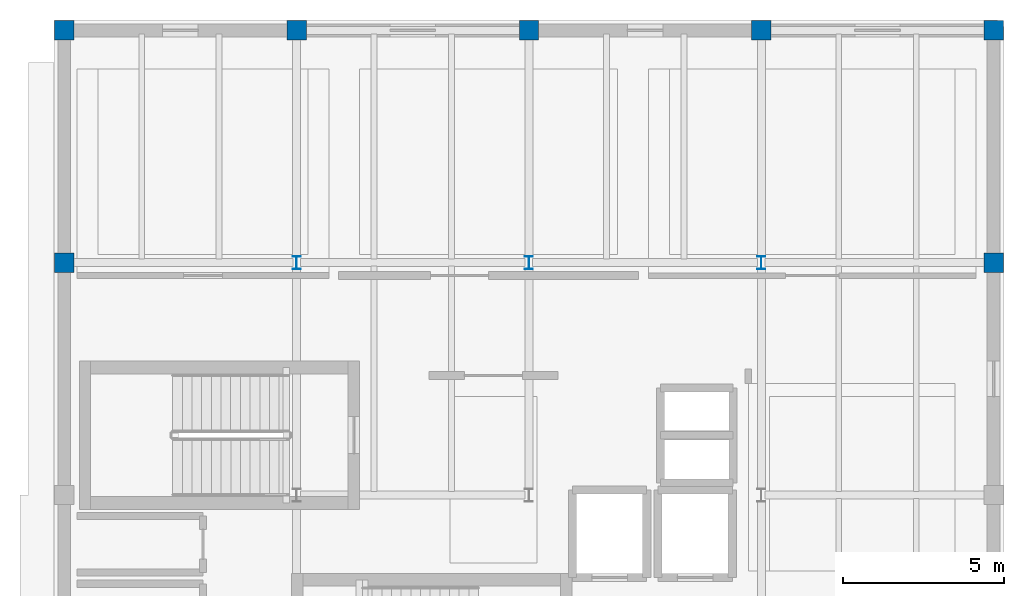
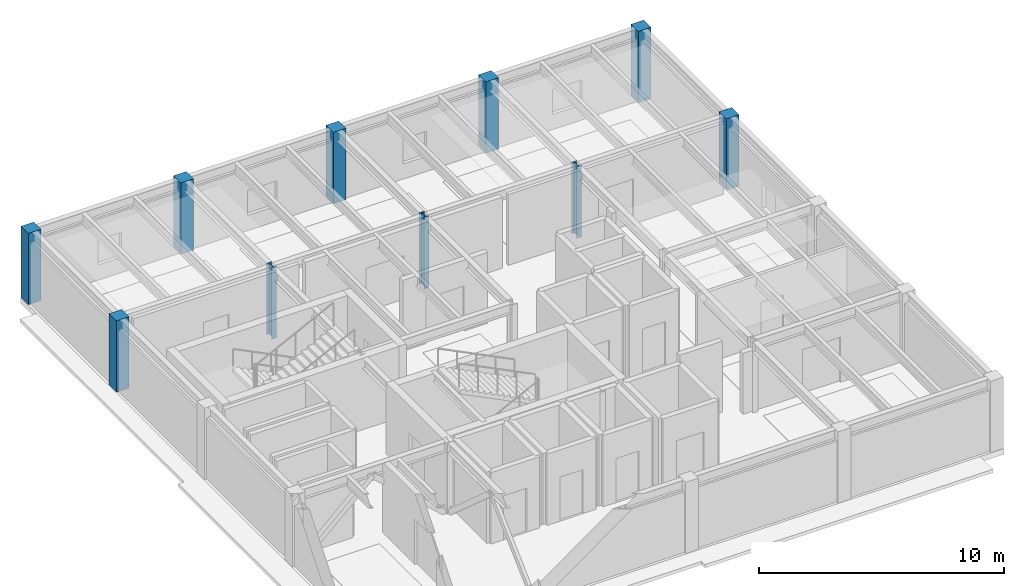
# One storey, part 2 of 8: 10 columns.
"""IFC4 building model written with IfcOpenShell, lengths in metres."""

from ifc_helpers import new_model, si_unit, direction, frame, origin, origin_2d, place, context, subcontext, project, spatial, rectangle, i_section, extrude, material, material_profile, profile_set, type_object, element, save


model = new_model("IFC4")

# Units and contexts
model_context = context("Model", 3, precision=1e-05, world=origin(), true_north=direction((0.0, 1.0)))
body_context = subcontext(model_context, "Body", "Model", "MODEL_VIEW")
ifc_project = project(units=[si_unit("LENGTHUNIT", "METRE"), si_unit("AREAUNIT", "SQUARE_METRE"), si_unit("VOLUMEUNIT", "CUBIC_METRE"), si_unit("PLANEANGLEUNIT", "RADIAN"), si_unit("MASSUNIT", "GRAM", prefix="KILO")], contexts=[model_context])

# Site, building, storey
site_placement = place(None, origin())
site = spatial("IfcSite", under=ifc_project, at=site_placement, CompositionType="ELEMENT")
building_placement = place(site_placement, origin())
building = spatial("IfcBuilding", under=site, at=building_placement, Name="Kandorven Conservatory and Botanical Research Centre", CompositionType="ELEMENT")
storey_placement = place(building_placement, frame((0.0, 0.0, 32.699951171875)))
storey = spatial("IfcBuildingStorey", under=building, at=storey_placement, Name="L08", CompositionType="ELEMENT", Elevation=32.699951171875)

# Columns
ifc_material_1 = material(Name="Steel S355 (IS 2062 E350)", Category="steel")
ifc_material_profile_1 = material_profile(ifc_material_1, i_section(OverallWidth=0.25, OverallDepth=0.39990234375, WebThickness=0.010498046875, FlangeThickness=0.0126953125, at=origin_2d()))
ifc_profile_set_1 = profile_set([ifc_material_profile_1], Name="Steel S355 (IS 2062 E350)")
column_type_1 = type_object("IfcColumnType", Name="Col_SC-02", PredefinedType="COLUMN", material=ifc_profile_set_1)
for number, where, z_axis, x_axis, name in (
    (1, (13.199951171875, 27.60009765625, 0.0), (0.0, 0.0, 1.0), (1.0, 0.0, 0.0), "Column SC-02 TWR L08 (2,4)"),
    (2, (20.39990234375, 27.60009765625, 0.0), (0.0, 0.0, 1.0), (1.0, 0.0, 0.0), "Column SC-02 TWR L08 (3,4)"),
    (3, (27.60009765625, 27.60009765625, 0.0), (0.0, 0.0, 1.0), (1.0, 0.0, 0.0), "Column SC-02 TWR L08 (4,4)"),
):
    element("IfcColumn", number, at=place(storey_placement, frame(where, z_axis=z_axis, x_axis=x_axis)), inside=storey, type_object=column_type_1, Name=name, PredefinedType="COLUMN", context=body_context, shape_type="SweptSolid", body=[
        extrude(i_section(OverallWidth=0.25, OverallDepth=0.39990234375, WebThickness=0.010498046875, FlangeThickness=0.0126953125, at=origin_2d()), origin(), (0.0, 0.0, 1.0), 3.56005859375),
    ])
ifc_material_2 = material(Name="Concrete C40/50 (M50)", Category="concrete")
ifc_material_profile_2 = material_profile(ifc_material_2, rectangle(XDim=0.60009765625, YDim=0.60009765625, at=origin_2d()))
ifc_profile_set_2 = profile_set([ifc_material_profile_2], Name="Concrete C40/50 (M50)")
column_type_2 = type_object("IfcColumnType", Name="Col_TC-04", PredefinedType="COLUMN", material=ifc_profile_set_2)
for number, where, z_axis, x_axis, name in (
    (4, (6.0, 27.60009765625, 0.0), (0.0, 0.0, 1.0), (1.0, 0.0, 0.0), "Column TC-04 TWR L08 (1,4)"),
    (5, (6.0, 34.800048828125, 0.0), (0.0, 0.0, 1.0), (1.0, 0.0, 0.0), "Column TC-04 TWR L08 (1,5)"),
    (6, (13.199951171875, 34.800048828125, 0.0), (0.0, 0.0, 1.0), (1.0, 0.0, 0.0), "Column TC-04 TWR L08 (2,5)"),
    (7, (20.39990234375, 34.800048828125, 0.0), (0.0, 0.0, 1.0), (1.0, 0.0, 0.0), "Column TC-04 TWR L08 (3,5)"),
    (8, (27.60009765625, 34.800048828125, 0.0), (0.0, 0.0, 1.0), (1.0, 0.0, 0.0), "Column TC-04 TWR L08 (4,5)"),
    (9, (34.800048828125, 27.60009765625, 0.0), (0.0, 0.0, 1.0), (1.0, 0.0, 0.0), "Column TC-04 TWR L08 (5,4)"),
    (10, (34.800048828125, 34.800048828125, 0.0), (0.0, 0.0, 1.0), (1.0, 0.0, 0.0), "Column TC-04 TWR L08 (5,5)"),
):
    element("IfcColumn", number, at=place(storey_placement, frame(where, z_axis=z_axis, x_axis=x_axis)), inside=storey, type_object=column_type_2, Name=name, PredefinedType="COLUMN", context=body_context, shape_type="SweptSolid", body=[
        extrude(rectangle(XDim=0.60009765625, YDim=0.60009765625, at=origin_2d()), origin(), (0.0, 0.0, 1.0), 3.56005859375),
    ])

save(model, "model.ifc")
